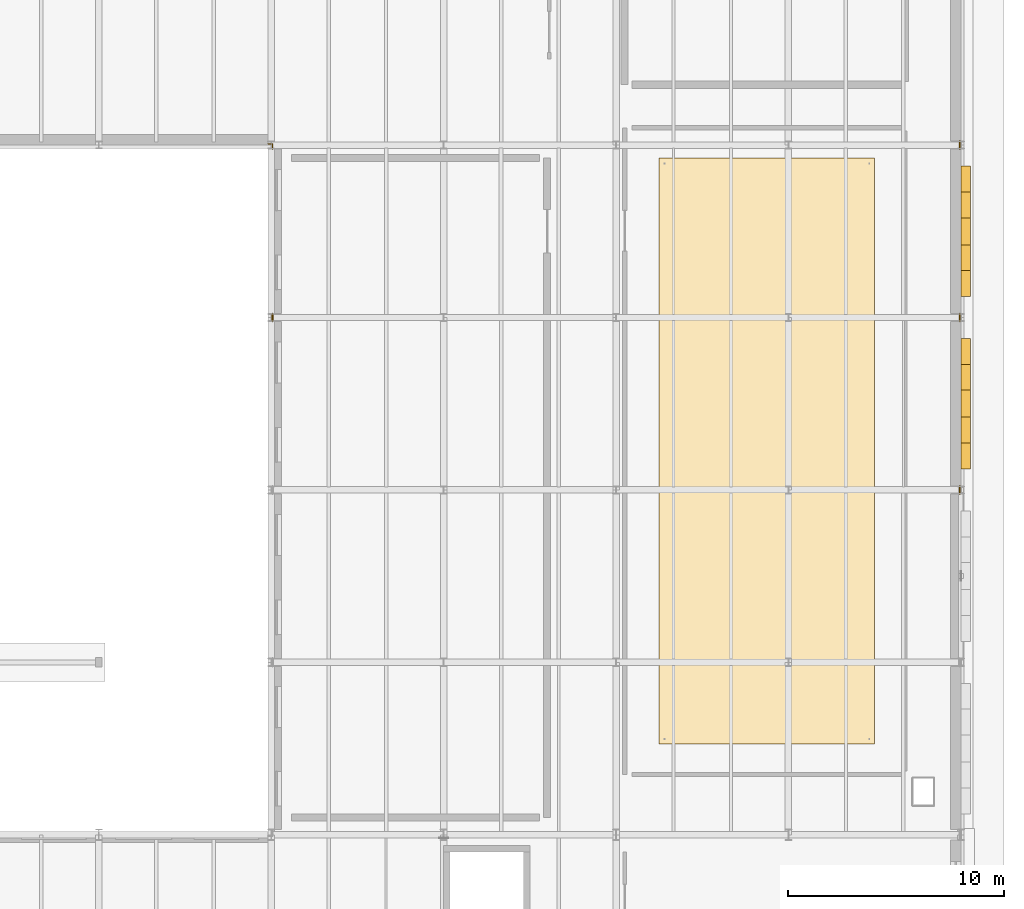
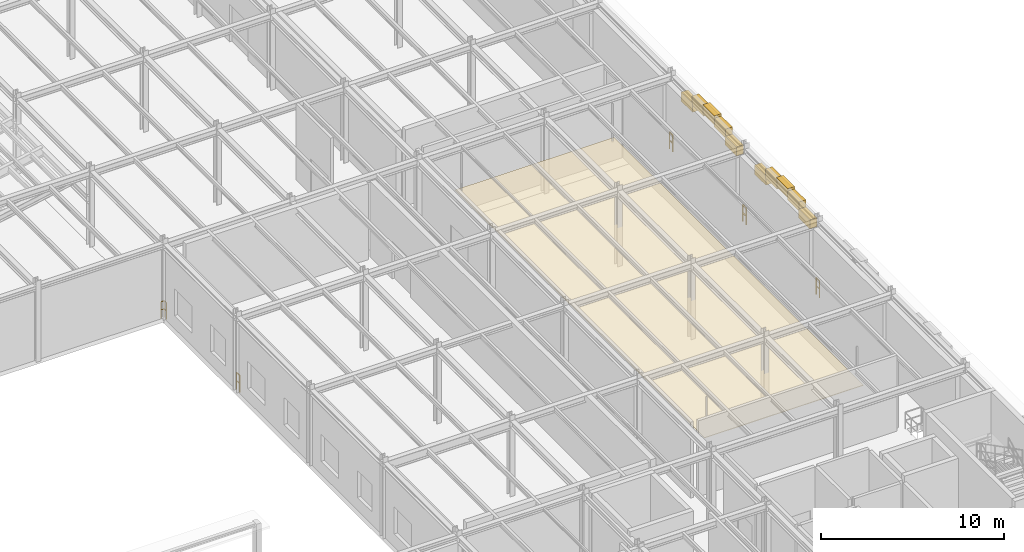
# One storey, part 125 of 129: 11 coverings, 5 railings.
"""IFC4 building model written with IfcOpenShell, lengths in metres."""

from ifc_helpers import new_model, si_unit, direction, frame, origin, origin_2d, place, context, subcontext, project, spatial, polyline, rectangle, circle, outline, extrude, material, layer, layer_set, type_object, element, save


model = new_model("IFC4")

# Units and contexts
model_context = context("Model", 3, precision=1e-05, world=origin(), true_north=direction((0.0, 1.0)))
body_context = subcontext(model_context, "Body", "Model", "MODEL_VIEW")
ifc_project = project(units=[si_unit("LENGTHUNIT", "METRE"), si_unit("AREAUNIT", "SQUARE_METRE"), si_unit("VOLUMEUNIT", "CUBIC_METRE"), si_unit("PLANEANGLEUNIT", "RADIAN"), si_unit("MASSUNIT", "GRAM", prefix="KILO")], contexts=[model_context])

# Site, building, storey
site_placement = place(None, origin())
site = spatial("IfcSite", under=ifc_project, at=site_placement, CompositionType="ELEMENT")
building_placement = place(site_placement, origin())
building = spatial("IfcBuilding", under=site, at=building_placement, Name="Sundkrona Museum", CompositionType="ELEMENT")
storey_placement = place(building_placement, origin())
storey = spatial("IfcBuildingStorey", under=building, at=storey_placement, Name="L00", CompositionType="ELEMENT", Elevation=0.0)

# Coverings
ifc_material_1 = material(Name="Perforated Acoustic Gypsum and Mineral Wool Ceiling", Category="other")
ifc_layer_1 = layer(ifc_material_1, 0.0400390625)
ifc_layer_set_1 = layer_set([ifc_layer_1], Name="Perforated Acoustic Gypsum and Mineral Wool Ceiling")
covering_type_1 = type_object("IfcCoveringType", Name="COV-CEIL-AC", PredefinedType="CEILING", material=ifc_layer_set_1)
covering_placement = place(storey_placement, frame((0.0, 0.0, 2.550048828125)))
element("IfcCovering", 1, at=covering_placement, inside=storey, type_object=covering_type_1, Name="L00 Art Registrar Unpacking Room Acoustic Ceiling", PredefinedType="CEILING", context=body_context, shape_type="SweptSolid", body=[
    extrude(outline(polyline([(154.0, 50.199951171875), (164.0, 50.199951171875), (164.0, 77.39990234375), (154.0, 77.39990234375), (154.0, 50.199951171875)])), origin(), (0.0, 0.0, 1.0), 0.0400390625),
])
ifc_material_2 = material(Name="Frost-Resistant Vitrified Stoneware Mosaic Cladding", Category="masonry")
ifc_layer_2 = layer(ifc_material_2, 0.044921875)
ifc_layer_set_2 = layer_set([ifc_layer_2], Name="Frost-Resistant Vitrified Stoneware Mosaic Cladding")
covering_type_2 = type_object("IfcCoveringType", Name="COV-CLD-MOS", PredefinedType="CLADDING", material=ifc_layer_set_2)
for number, where, z_axis, x_axis, name in (
    (2, (168.219970703125, 63.60009765625, 3.8310546875), (0.0, 0.0, 1.0), (1.0, 0.0, 0.0), "Catalan Modernisme East Avenue Arch Voussoir 131"),
    (3, (168.219970703125, 64.800048828125, 4.295166015625), (0.0, 0.0, 1.0), (1.0, 0.0, 0.0), "Catalan Modernisme East Avenue Arch Voussoir 132"),
    (4, (168.219970703125, 66.0, 4.449951171875), (0.0, 0.0, 1.0), (1.0, 0.0, 0.0), "Catalan Modernisme East Avenue Arch Voussoir 133"),
    (5, (168.219970703125, 67.199951171875, 4.295166015625), (0.0, 0.0, 1.0), (1.0, 0.0, 0.0), "Catalan Modernisme East Avenue Arch Voussoir 134"),
    (6, (168.219970703125, 68.39990234375, 3.8310546875), (0.0, 0.0, 1.0), (1.0, 0.0, 0.0), "Catalan Modernisme East Avenue Arch Voussoir 135"),
    (7, (168.219970703125, 71.60009765625, 3.8310546875), (0.0, 0.0, 1.0), (1.0, 0.0, 0.0), "Catalan Modernisme East Avenue Arch Voussoir 136"),
    (8, (168.219970703125, 72.800048828125, 4.295166015625), (0.0, 0.0, 1.0), (1.0, 0.0, 0.0), "Catalan Modernisme East Avenue Arch Voussoir 137"),
    (9, (168.219970703125, 74.0, 4.449951171875), (0.0, 0.0, 1.0), (1.0, 0.0, 0.0), "Catalan Modernisme East Avenue Arch Voussoir 138"),
    (10, (168.219970703125, 75.199951171875, 4.295166015625), (0.0, 0.0, 1.0), (1.0, 0.0, 0.0), "Catalan Modernisme East Avenue Arch Voussoir 139"),
    (11, (168.219970703125, 76.39990234375, 3.8310546875), (0.0, 0.0, 1.0), (1.0, 0.0, 0.0), "Catalan Modernisme East Avenue Arch Voussoir 140"),
):
    element("IfcCovering", number, at=place(storey_placement, frame(where, z_axis=z_axis, x_axis=x_axis)), inside=storey, type_object=covering_type_2, Name=name, PredefinedType="CLADDING", context=body_context, shape_type="SweptSolid", body=[
        extrude(rectangle(XDim=0.43994140625, YDim=1.25, at=origin_2d()), origin(), (0.0, 0.0, 1.0), 0.60009765625),
    ])

# Railings
ifc_material_3 = material(Name="Painted Steel S355J2 and Laminated Glass Balustrade", Category="steel")
railing_type = type_object("IfcRailingType", Name="RL-GUARD-1100", PredefinedType="BALUSTRADE", material=ifc_material_3)
railing_1_placement = place(storey_placement, frame((136.06005859375, 77.818115234375, 0.0)))
element("IfcRailing", 12, at=railing_1_placement, inside=storey, type_object=railing_type, Name="L00 Edge Protection Balustrade 032", PredefinedType="BALUSTRADE", context=body_context, shape_type="SweptSolid", body=[
    extrude(circle(Radius=0.02392578125, at=origin_2d()), frame((0.0, 0.0, 1.09619140625), z_axis=(0.0, 1.0, 0.0), x_axis=(-1.0, 0.0, 0.0)), (0.0, 0.0, 1.0), 0.241943359375),
    extrude(circle(Radius=0.02392578125, at=origin_2d()), frame((0.0, 0.0, 0.56005859375), z_axis=(0.0, 1.0, 0.0), x_axis=(-1.0, 0.0, 0.0)), (0.0, 0.0, 1.0), 0.241943359375),
    extrude(circle(Radius=0.02392578125, at=origin_2d()), frame((0.0, 0.241943359375, 1.09619140625), z_axis=(-1.0, 0.0, 0.0), x_axis=(0.0, -1.0, 0.0)), (0.0, 0.0, 1.0), 0.2099609375),
    extrude(circle(Radius=0.02392578125, at=origin_2d()), frame((0.0, 0.241943359375, 0.56005859375), z_axis=(-1.0, 0.0, 0.0), x_axis=(0.0, -1.0, 0.0)), (0.0, 0.0, 1.0), 0.2099609375),
    extrude(circle(Radius=0.02099609375, at=origin_2d()), origin(), (0.0, 0.0, 1.0), 1.072021484375),
    extrude(circle(Radius=0.02099609375, at=origin_2d()), frame((0.0, 0.241943359375, 0.0)), (0.0, 0.0, 1.0), 1.072021484375),
    extrude(circle(Radius=0.02099609375, at=origin_2d()), frame((-0.2099609375, 0.241943359375, 0.0)), (0.0, 0.0, 1.0), 1.072021484375),
])
railing_2_placement = place(storey_placement, frame((136.06005859375, 69.818115234375, 0.0)))
element("IfcRailing", 13, at=railing_2_placement, inside=storey, type_object=railing_type, Name="L00 Edge Protection Balustrade 036", PredefinedType="BALUSTRADE", context=body_context, shape_type="SweptSolid", body=[
    extrude(circle(Radius=0.02392578125, at=origin_2d()), frame((0.0, 0.0, 1.09619140625), z_axis=(0.0, 1.0, 0.0), x_axis=(-1.0, 0.0, 0.0)), (0.0, 0.0, 1.0), 0.36376953125),
    extrude(circle(Radius=0.02392578125, at=origin_2d()), frame((0.0, 0.0, 0.56005859375), z_axis=(0.0, 1.0, 0.0), x_axis=(-1.0, 0.0, 0.0)), (0.0, 0.0, 1.0), 0.36376953125),
    extrude(circle(Radius=0.02099609375, at=origin_2d()), origin(), (0.0, 0.0, 1.0), 1.072021484375),
    extrude(circle(Radius=0.02099609375, at=origin_2d()), frame((0.0, 0.36376953125, 0.0)), (0.0, 0.0, 1.0), 1.072021484375),
])
for number, where, name in (
    (14, (167.93994140625, 62.181884765625, 0.0), "L00 Edge Protection Balustrade 050"),
    (15, (167.93994140625, 70.181884765625, 0.0), "L00 Edge Protection Balustrade 051"),
    (16, (167.93994140625, 78.181884765625, 0.0), "L00 Edge Protection Balustrade 052"),
):
    element("IfcRailing", number, at=place(storey_placement, frame(where)), inside=storey, type_object=railing_type, Name=name, PredefinedType="BALUSTRADE", context=body_context, shape_type="SweptSolid", body=[
        extrude(circle(Radius=0.02392578125, at=origin_2d()), frame((0.0, 0.0, 1.09619140625), z_axis=(0.0, -1.0, 0.0), x_axis=(1.0, 0.0, 0.0)), (0.0, 0.0, 1.0), 0.36376953125),
        extrude(circle(Radius=0.02392578125, at=origin_2d()), frame((0.0, 0.0, 0.56005859375), z_axis=(0.0, -1.0, 0.0), x_axis=(1.0, 0.0, 0.0)), (0.0, 0.0, 1.0), 0.36376953125),
        extrude(circle(Radius=0.02099609375, at=origin_2d()), origin(), (0.0, 0.0, 1.0), 1.072021484375),
        extrude(circle(Radius=0.02099609375, at=origin_2d()), frame((0.0, -0.36376953125, 0.0)), (0.0, 0.0, 1.0), 1.072021484375),
    ])

save(model, "model.ifc")
